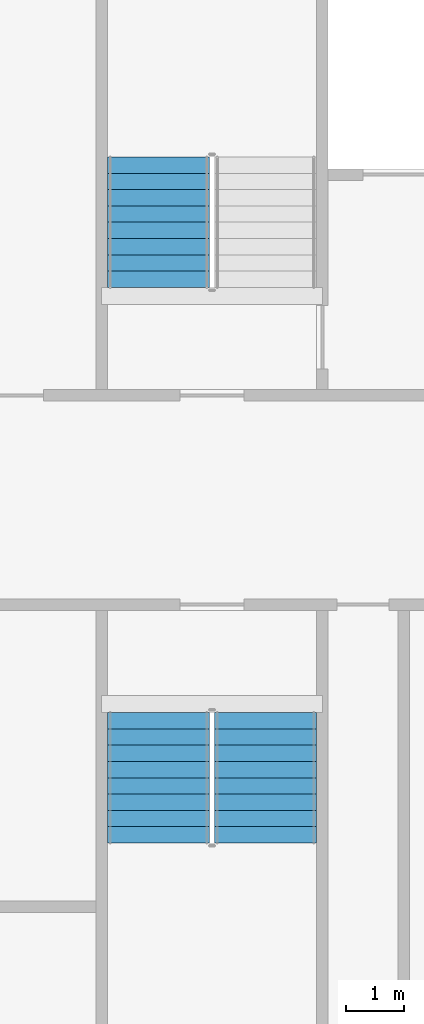
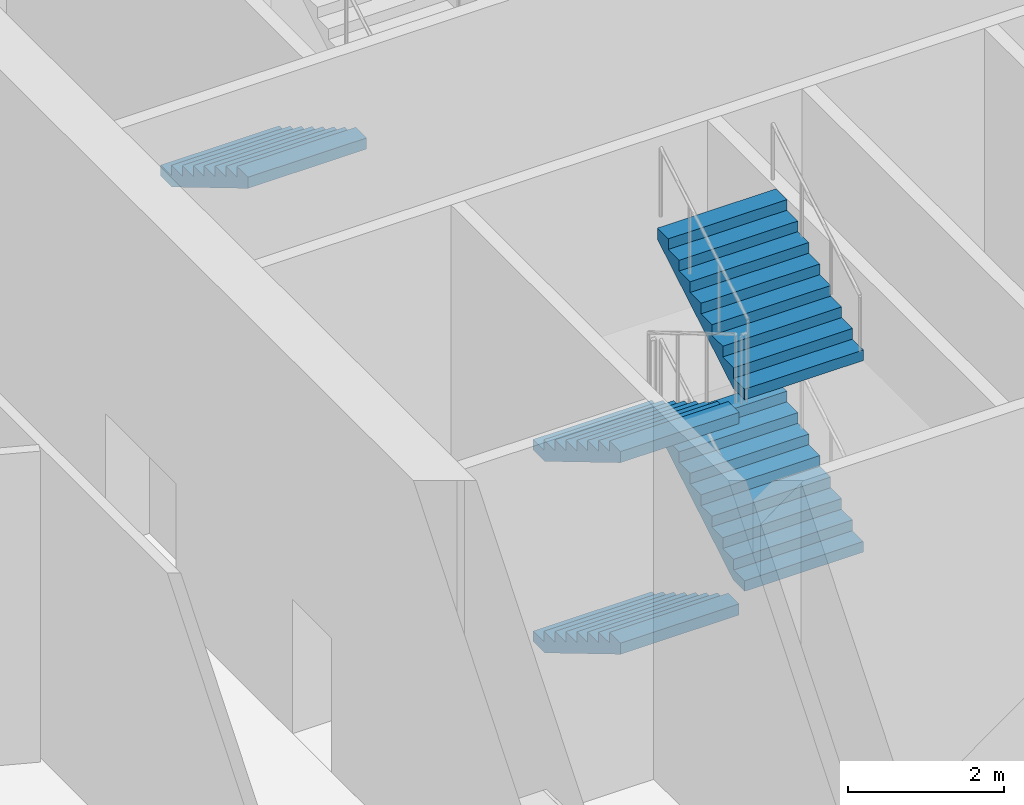
# One storey, part 27 of 36: 5 stair flights, 2 elements without a shape of their own.
"""IFC4 building model written with IfcOpenShell, lengths in metres."""

from ifc_helpers import new_model, si_unit, direction, frame, origin, place, context, subcontext, project, spatial, faceted_brep, material, type_object, element, aggregate, save


model = new_model("IFC4")

# Units and contexts
model_context = context("Model", 3, precision=1e-05, world=origin(), true_north=direction((0.0, 1.0)))
body_context = subcontext(model_context, "Body", "Model", "MODEL_VIEW")
ifc_project = project(units=[si_unit("LENGTHUNIT", "METRE"), si_unit("AREAUNIT", "SQUARE_METRE"), si_unit("VOLUMEUNIT", "CUBIC_METRE"), si_unit("PLANEANGLEUNIT", "RADIAN"), si_unit("MASSUNIT", "GRAM", prefix="KILO")], contexts=[model_context])

# Site, building, storey
site_placement = place(None, origin())
site = spatial("IfcSite", under=ifc_project, at=site_placement, CompositionType="ELEMENT")
building_placement = place(site_placement, origin())
building = spatial("IfcBuilding", under=site, at=building_placement, Name="Tarsis Ring Headquarters", CompositionType="ELEMENT")
storey_placement = place(building_placement, frame((0.0, 0.0, 194.39990234375)))
storey = spatial("IfcBuildingStorey", under=building, at=storey_placement, Name="L45", CompositionType="ELEMENT", Elevation=194.39990234375)

# Stair, stair flight
ifc_material_1 = material(Name="Core stair 1760")
stair_type = type_object("IfcStairType", Name="Core stair 1760", PredefinedType="HALF_TURN_STAIR", material=ifc_material_1)
stair_1_placement = place(storey_placement, origin())
stair_1 = element("IfcStair", 1, at=stair_1_placement, inside=storey, type_object=stair_type, Name="L45 Firefighting stair", PredefinedType="HALF_TURN_STAIR")
ifc_material_2 = material(Name="Concrete C40/50", Category="concrete")
stair_flight_type = type_object("IfcStairFlightType", Name="Core stair flight 1760", PredefinedType="STRAIGHT", material=ifc_material_2)
stair_flight_1_placement = place(storey_placement, frame((-5.419921875, 5.89990234375, 1.5), z_axis=(0.0, 0.0, 1.0), x_axis=(0.0, -1.0, 0.0)))
stair_flight_1 = element("IfcStairFlight", 2, at=stair_flight_1_placement, type_object=stair_flight_type, Name="Stair ST1 flight 2", NumberOfRisers=9, NumberOfTreads=8, PredefinedType="STRAIGHT", RiserHeight=0.166666667, TreadLength=0.28, context=body_context, shape_type="Brep", body=[
    faceted_brep([(0.0, 0.8798828125, 0.0), (0.0, 0.8798828125, 0.166748046875), (0.280029296875, 0.8798828125, 0.166748046875), (0.280029296875, 0.8798828125, 0.333251953125), (0.56005859375, 0.8798828125, 0.333251953125), (0.56005859375, 0.8798828125, 0.5), (0.840087890625, 0.8798828125, 0.5), (0.840087890625, 0.8798828125, 0.666748046875), (1.1201171875, 0.8798828125, 0.666748046875), (1.1201171875, 0.8798828125, 0.833251953125), (1.39990234375, 0.8798828125, 0.833251953125), (1.39990234375, 0.8798828125, 1.0), (1.679931640625, 0.8798828125, 1.0), (1.679931640625, 0.8798828125, 1.166748046875), (1.9599609375, 0.8798828125, 1.166748046875), (1.9599609375, 0.8798828125, 1.333251953125), (2.239990234375, 0.8798828125, 1.333251953125), (2.239990234375, 0.8798828125, 1.158935546875), (0.29296875, 0.8798828125, 0.0), (0.29296875, -0.8798828125, 0.0), (2.239990234375, -0.8798828125, 1.158935546875), (2.239990234375, -0.8798828125, 1.333251953125), (1.9599609375, -0.8798828125, 1.333251953125), (1.9599609375, -0.8798828125, 1.166748046875), (1.679931640625, -0.8798828125, 1.166748046875), (1.679931640625, -0.8798828125, 1.0), (1.39990234375, -0.8798828125, 1.0), (1.39990234375, -0.8798828125, 0.833251953125), (1.1201171875, -0.8798828125, 0.833251953125), (1.1201171875, -0.8798828125, 0.666748046875), (0.840087890625, -0.8798828125, 0.666748046875), (0.840087890625, -0.8798828125, 0.5), (0.56005859375, -0.8798828125, 0.5), (0.56005859375, -0.8798828125, 0.333251953125), (0.280029296875, -0.8798828125, 0.333251953125), (0.280029296875, -0.8798828125, 0.166748046875), (0.0, -0.8798828125, 0.166748046875), (0.0, -0.8798828125, 0.0), (0.0, -0.43994140625, 0.166748046875), (0.0, -0.43994140625, 0.0), (0.0, 0.0, 0.166748046875), (0.0, 0.0, 0.0), (0.0, 0.43994140625, 0.166748046875), (0.0, 0.43994140625, 0.0), (0.280029296875, -0.43994140625, 0.166748046875), (0.280029296875, 0.0, 0.166748046875), (0.280029296875, 0.43994140625, 0.166748046875), (0.280029296875, -0.43994140625, 0.333251953125), (0.280029296875, 0.0, 0.333251953125), (0.280029296875, 0.43994140625, 0.333251953125), (0.56005859375, -0.43994140625, 0.333251953125), (0.56005859375, 0.0, 0.333251953125), (0.56005859375, 0.43994140625, 0.333251953125), (0.56005859375, -0.43994140625, 0.5), (0.56005859375, 0.0, 0.5), (0.56005859375, 0.43994140625, 0.5), (0.840087890625, -0.43994140625, 0.5), (0.840087890625, 0.0, 0.5), (0.840087890625, 0.43994140625, 0.5), (0.840087890625, -0.43994140625, 0.666748046875), (0.840087890625, 0.0, 0.666748046875), (0.840087890625, 0.43994140625, 0.666748046875), (1.1201171875, -0.43994140625, 0.666748046875), (1.1201171875, 0.0, 0.666748046875), (1.1201171875, 0.43994140625, 0.666748046875), (1.1201171875, -0.43994140625, 0.833251953125), (1.1201171875, 0.0, 0.833251953125), (1.1201171875, 0.43994140625, 0.833251953125), (1.39990234375, -0.43994140625, 0.833251953125), (1.39990234375, 0.0, 0.833251953125), (1.39990234375, 0.43994140625, 0.833251953125), (1.39990234375, -0.43994140625, 1.0), (1.39990234375, 0.0, 1.0), (1.39990234375, 0.43994140625, 1.0), (1.679931640625, -0.43994140625, 1.0), (1.679931640625, 0.0, 1.0), (1.679931640625, 0.43994140625, 1.0), (1.679931640625, -0.43994140625, 1.166748046875), (1.679931640625, 0.0, 1.166748046875), (1.679931640625, 0.43994140625, 1.166748046875), (1.9599609375, -0.43994140625, 1.166748046875), (1.9599609375, 0.0, 1.166748046875), (1.9599609375, 0.43994140625, 1.166748046875), (1.9599609375, -0.43994140625, 1.333251953125), (1.9599609375, 0.0, 1.333251953125), (1.9599609375, 0.43994140625, 1.333251953125), (2.239990234375, -0.43994140625, 1.333251953125), (2.239990234375, 0.0, 1.333251953125), (2.239990234375, 0.43994140625, 1.333251953125), (2.239990234375, -0.43994140625, 1.158935546875), (2.239990234375, 0.0, 1.158935546875), (2.239990234375, 0.43994140625, 1.158935546875), (0.29296875, -0.43994140625, 0.0), (0.29296875, 0.0, 0.0), (0.29296875, 0.43994140625, 0.0)], [[[0, 1, 2, 3, 4, 5, 6, 7, 8, 9, 10, 11, 12, 13, 14, 15, 16, 17, 18]], [[19, 20, 21, 22, 23, 24, 25, 26, 27, 28, 29, 30, 31, 32, 33, 34, 35, 36, 37]], [[37, 36, 38, 39]], [[39, 38, 40, 41]], [[41, 40, 42, 43]], [[43, 42, 1, 0]], [[36, 35, 44, 38]], [[38, 44, 45, 40]], [[40, 45, 46, 42]], [[42, 46, 2, 1]], [[35, 34, 47, 44]], [[44, 47, 48, 45]], [[45, 48, 49, 46]], [[46, 49, 3, 2]], [[34, 33, 50, 47]], [[47, 50, 51, 48]], [[48, 51, 52, 49]], [[49, 52, 4, 3]], [[33, 32, 53, 50]], [[50, 53, 54, 51]], [[51, 54, 55, 52]], [[52, 55, 5, 4]], [[32, 31, 56, 53]], [[53, 56, 57, 54]], [[54, 57, 58, 55]], [[55, 58, 6, 5]], [[31, 30, 59, 56]], [[56, 59, 60, 57]], [[57, 60, 61, 58]], [[58, 61, 7, 6]], [[30, 29, 62, 59]], [[59, 62, 63, 60]], [[60, 63, 64, 61]], [[61, 64, 8, 7]], [[29, 28, 65, 62]], [[62, 65, 66, 63]], [[63, 66, 67, 64]], [[64, 67, 9, 8]], [[28, 27, 68, 65]], [[65, 68, 69, 66]], [[66, 69, 70, 67]], [[67, 70, 10, 9]], [[27, 26, 71, 68]], [[68, 71, 72, 69]], [[69, 72, 73, 70]], [[70, 73, 11, 10]], [[26, 25, 74, 71]], [[71, 74, 75, 72]], [[72, 75, 76, 73]], [[73, 76, 12, 11]], [[25, 24, 77, 74]], [[74, 77, 78, 75]], [[75, 78, 79, 76]], [[76, 79, 13, 12]], [[24, 23, 80, 77]], [[77, 80, 81, 78]], [[78, 81, 82, 79]], [[79, 82, 14, 13]], [[23, 22, 83, 80]], [[80, 83, 84, 81]], [[81, 84, 85, 82]], [[82, 85, 15, 14]], [[22, 21, 86, 83]], [[83, 86, 87, 84]], [[84, 87, 88, 85]], [[85, 88, 16, 15]], [[21, 20, 89, 86]], [[86, 89, 90, 87]], [[87, 90, 91, 88]], [[88, 91, 17, 16]], [[20, 19, 92, 89]], [[89, 92, 93, 90]], [[90, 93, 94, 91]], [[91, 94, 18, 17]], [[19, 37, 39, 92]], [[92, 39, 41, 93]], [[93, 41, 43, 94]], [[94, 43, 0, 18]]]),
])
aggregate(stair_1, [stair_flight_1])

# Stair, stair flights
stair_2_placement = place(storey_placement, origin())
stair_2 = element("IfcStair", 3, at=stair_2_placement, inside=storey, type_object=stair_type, Name="L45 Exit stair C", PredefinedType="HALF_TURN_STAIR")
stair_flight_2_placement = place(storey_placement, frame((-5.419921875, -3.659912109375, 0.0), z_axis=(0.0, 0.0, 1.0), x_axis=(0.0, -1.0, 0.0)))
stair_flight_2 = element("IfcStairFlight", 4, at=stair_flight_2_placement, type_object=stair_flight_type, Name="Stair ST3 flight 1", NumberOfRisers=9, NumberOfTreads=8, PredefinedType="STRAIGHT", RiserHeight=0.166666667, TreadLength=0.28, context=body_context, shape_type="Brep", body=[
    faceted_brep([(0.0, 0.8798828125, 0.0), (0.0, 0.8798828125, 0.166748046875), (0.280029296875, 0.8798828125, 0.166748046875), (0.280029296875, 0.8798828125, 0.333251953125), (0.56005859375, 0.8798828125, 0.333251953125), (0.56005859375, 0.8798828125, 0.5), (0.840087890625, 0.8798828125, 0.5), (0.840087890625, 0.8798828125, 0.666748046875), (1.1201171875, 0.8798828125, 0.666748046875), (1.1201171875, 0.8798828125, 0.833251953125), (1.39990234375, 0.8798828125, 0.833251953125), (1.39990234375, 0.8798828125, 1.0), (1.679931640625, 0.8798828125, 1.0), (1.679931640625, 0.8798828125, 1.166748046875), (1.9599609375, 0.8798828125, 1.166748046875), (1.9599609375, 0.8798828125, 1.333251953125), (2.239990234375, 0.8798828125, 1.333251953125), (2.239990234375, 0.8798828125, 1.158935546875), (0.29296875, 0.8798828125, 0.0), (0.29296875, -0.8798828125, 0.0), (2.239990234375, -0.8798828125, 1.158935546875), (2.239990234375, -0.8798828125, 1.333251953125), (1.9599609375, -0.8798828125, 1.333251953125), (1.9599609375, -0.8798828125, 1.166748046875), (1.679931640625, -0.8798828125, 1.166748046875), (1.679931640625, -0.8798828125, 1.0), (1.39990234375, -0.8798828125, 1.0), (1.39990234375, -0.8798828125, 0.833251953125), (1.1201171875, -0.8798828125, 0.833251953125), (1.1201171875, -0.8798828125, 0.666748046875), (0.840087890625, -0.8798828125, 0.666748046875), (0.840087890625, -0.8798828125, 0.5), (0.56005859375, -0.8798828125, 0.5), (0.56005859375, -0.8798828125, 0.333251953125), (0.280029296875, -0.8798828125, 0.333251953125), (0.280029296875, -0.8798828125, 0.166748046875), (0.0, -0.8798828125, 0.166748046875), (0.0, -0.8798828125, 0.0), (0.0, -0.43994140625, 0.166748046875), (0.0, -0.43994140625, 0.0), (0.0, 0.0, 0.166748046875), (0.0, 0.0, 0.0), (0.0, 0.43994140625, 0.166748046875), (0.0, 0.43994140625, 0.0), (0.280029296875, -0.43994140625, 0.166748046875), (0.280029296875, 0.0, 0.166748046875), (0.280029296875, 0.43994140625, 0.166748046875), (0.280029296875, -0.43994140625, 0.333251953125), (0.280029296875, 0.0, 0.333251953125), (0.280029296875, 0.43994140625, 0.333251953125), (0.56005859375, -0.43994140625, 0.333251953125), (0.56005859375, 0.0, 0.333251953125), (0.56005859375, 0.43994140625, 0.333251953125), (0.56005859375, -0.43994140625, 0.5), (0.56005859375, 0.0, 0.5), (0.56005859375, 0.43994140625, 0.5), (0.840087890625, -0.43994140625, 0.5), (0.840087890625, 0.0, 0.5), (0.840087890625, 0.43994140625, 0.5), (0.840087890625, -0.43994140625, 0.666748046875), (0.840087890625, 0.0, 0.666748046875), (0.840087890625, 0.43994140625, 0.666748046875), (1.1201171875, -0.43994140625, 0.666748046875), (1.1201171875, 0.0, 0.666748046875), (1.1201171875, 0.43994140625, 0.666748046875), (1.1201171875, -0.43994140625, 0.833251953125), (1.1201171875, 0.0, 0.833251953125), (1.1201171875, 0.43994140625, 0.833251953125), (1.39990234375, -0.43994140625, 0.833251953125), (1.39990234375, 0.0, 0.833251953125), (1.39990234375, 0.43994140625, 0.833251953125), (1.39990234375, -0.43994140625, 1.0), (1.39990234375, 0.0, 1.0), (1.39990234375, 0.43994140625, 1.0), (1.679931640625, -0.43994140625, 1.0), (1.679931640625, 0.0, 1.0), (1.679931640625, 0.43994140625, 1.0), (1.679931640625, -0.43994140625, 1.166748046875), (1.679931640625, 0.0, 1.166748046875), (1.679931640625, 0.43994140625, 1.166748046875), (1.9599609375, -0.43994140625, 1.166748046875), (1.9599609375, 0.0, 1.166748046875), (1.9599609375, 0.43994140625, 1.166748046875), (1.9599609375, -0.43994140625, 1.333251953125), (1.9599609375, 0.0, 1.333251953125), (1.9599609375, 0.43994140625, 1.333251953125), (2.239990234375, -0.43994140625, 1.333251953125), (2.239990234375, 0.0, 1.333251953125), (2.239990234375, 0.43994140625, 1.333251953125), (2.239990234375, -0.43994140625, 1.158935546875), (2.239990234375, 0.0, 1.158935546875), (2.239990234375, 0.43994140625, 1.158935546875), (0.29296875, -0.43994140625, 0.0), (0.29296875, 0.0, 0.0), (0.29296875, 0.43994140625, 0.0)], [[[0, 1, 2, 3, 4, 5, 6, 7, 8, 9, 10, 11, 12, 13, 14, 15, 16, 17, 18]], [[19, 20, 21, 22, 23, 24, 25, 26, 27, 28, 29, 30, 31, 32, 33, 34, 35, 36, 37]], [[37, 36, 38, 39]], [[39, 38, 40, 41]], [[41, 40, 42, 43]], [[43, 42, 1, 0]], [[36, 35, 44, 38]], [[38, 44, 45, 40]], [[40, 45, 46, 42]], [[42, 46, 2, 1]], [[35, 34, 47, 44]], [[44, 47, 48, 45]], [[45, 48, 49, 46]], [[46, 49, 3, 2]], [[34, 33, 50, 47]], [[47, 50, 51, 48]], [[48, 51, 52, 49]], [[49, 52, 4, 3]], [[33, 32, 53, 50]], [[50, 53, 54, 51]], [[51, 54, 55, 52]], [[52, 55, 5, 4]], [[32, 31, 56, 53]], [[53, 56, 57, 54]], [[54, 57, 58, 55]], [[55, 58, 6, 5]], [[31, 30, 59, 56]], [[56, 59, 60, 57]], [[57, 60, 61, 58]], [[58, 61, 7, 6]], [[30, 29, 62, 59]], [[59, 62, 63, 60]], [[60, 63, 64, 61]], [[61, 64, 8, 7]], [[29, 28, 65, 62]], [[62, 65, 66, 63]], [[63, 66, 67, 64]], [[64, 67, 9, 8]], [[28, 27, 68, 65]], [[65, 68, 69, 66]], [[66, 69, 70, 67]], [[67, 70, 10, 9]], [[27, 26, 71, 68]], [[68, 71, 72, 69]], [[69, 72, 73, 70]], [[70, 73, 11, 10]], [[26, 25, 74, 71]], [[71, 74, 75, 72]], [[72, 75, 76, 73]], [[73, 76, 12, 11]], [[25, 24, 77, 74]], [[74, 77, 78, 75]], [[75, 78, 79, 76]], [[76, 79, 13, 12]], [[24, 23, 80, 77]], [[77, 80, 81, 78]], [[78, 81, 82, 79]], [[79, 82, 14, 13]], [[23, 22, 83, 80]], [[80, 83, 84, 81]], [[81, 84, 85, 82]], [[82, 85, 15, 14]], [[22, 21, 86, 83]], [[83, 86, 87, 84]], [[84, 87, 88, 85]], [[85, 88, 16, 15]], [[21, 20, 89, 86]], [[86, 89, 90, 87]], [[87, 90, 91, 88]], [[88, 91, 17, 16]], [[20, 19, 92, 89]], [[89, 92, 93, 90]], [[90, 93, 94, 91]], [[91, 94, 18, 17]], [[19, 37, 39, 92]], [[92, 39, 41, 93]], [[93, 41, 43, 94]], [[94, 43, 0, 18]]]),
])
stair_flight_3_placement = place(storey_placement, frame((-3.580078125, -5.89990234375, 1.5), z_axis=(0.0, 0.0, 1.0), x_axis=(0.0, 1.0, 0.0)))
stair_flight_3 = element("IfcStairFlight", 5, at=stair_flight_3_placement, type_object=stair_flight_type, Name="Stair ST3 flight 2", NumberOfRisers=9, NumberOfTreads=8, PredefinedType="STRAIGHT", RiserHeight=0.166666667, TreadLength=0.28, context=body_context, shape_type="Brep", body=[
    faceted_brep([(0.0, 0.8798828125, 0.0), (0.0, 0.8798828125, 0.166748046875), (0.280029296875, 0.8798828125, 0.166748046875), (0.280029296875, 0.8798828125, 0.333251953125), (0.56005859375, 0.8798828125, 0.333251953125), (0.56005859375, 0.8798828125, 0.5), (0.840087890625, 0.8798828125, 0.5), (0.840087890625, 0.8798828125, 0.666748046875), (1.1201171875, 0.8798828125, 0.666748046875), (1.1201171875, 0.8798828125, 0.833251953125), (1.39990234375, 0.8798828125, 0.833251953125), (1.39990234375, 0.8798828125, 1.0), (1.679931640625, 0.8798828125, 1.0), (1.679931640625, 0.8798828125, 1.166748046875), (1.9599609375, 0.8798828125, 1.166748046875), (1.9599609375, 0.8798828125, 1.333251953125), (2.239990234375, 0.8798828125, 1.333251953125), (2.239990234375, 0.8798828125, 1.158935546875), (0.29296875, 0.8798828125, 0.0), (0.29296875, -0.8798828125, 0.0), (2.239990234375, -0.8798828125, 1.158935546875), (2.239990234375, -0.8798828125, 1.333251953125), (1.9599609375, -0.8798828125, 1.333251953125), (1.9599609375, -0.8798828125, 1.166748046875), (1.679931640625, -0.8798828125, 1.166748046875), (1.679931640625, -0.8798828125, 1.0), (1.39990234375, -0.8798828125, 1.0), (1.39990234375, -0.8798828125, 0.833251953125), (1.1201171875, -0.8798828125, 0.833251953125), (1.1201171875, -0.8798828125, 0.666748046875), (0.840087890625, -0.8798828125, 0.666748046875), (0.840087890625, -0.8798828125, 0.5), (0.56005859375, -0.8798828125, 0.5), (0.56005859375, -0.8798828125, 0.333251953125), (0.280029296875, -0.8798828125, 0.333251953125), (0.280029296875, -0.8798828125, 0.166748046875), (0.0, -0.8798828125, 0.166748046875), (0.0, -0.8798828125, 0.0), (0.0, -0.43994140625, 0.166748046875), (0.0, -0.43994140625, 0.0), (0.0, 0.0, 0.166748046875), (0.0, 0.0, 0.0), (0.0, 0.43994140625, 0.166748046875), (0.0, 0.43994140625, 0.0), (0.280029296875, -0.43994140625, 0.166748046875), (0.280029296875, 0.0, 0.166748046875), (0.280029296875, 0.43994140625, 0.166748046875), (0.280029296875, -0.43994140625, 0.333251953125), (0.280029296875, 0.0, 0.333251953125), (0.280029296875, 0.43994140625, 0.333251953125), (0.56005859375, -0.43994140625, 0.333251953125), (0.56005859375, 0.0, 0.333251953125), (0.56005859375, 0.43994140625, 0.333251953125), (0.56005859375, -0.43994140625, 0.5), (0.56005859375, 0.0, 0.5), (0.56005859375, 0.43994140625, 0.5), (0.840087890625, -0.43994140625, 0.5), (0.840087890625, 0.0, 0.5), (0.840087890625, 0.43994140625, 0.5), (0.840087890625, -0.43994140625, 0.666748046875), (0.840087890625, 0.0, 0.666748046875), (0.840087890625, 0.43994140625, 0.666748046875), (1.1201171875, -0.43994140625, 0.666748046875), (1.1201171875, 0.0, 0.666748046875), (1.1201171875, 0.43994140625, 0.666748046875), (1.1201171875, -0.43994140625, 0.833251953125), (1.1201171875, 0.0, 0.833251953125), (1.1201171875, 0.43994140625, 0.833251953125), (1.39990234375, -0.43994140625, 0.833251953125), (1.39990234375, 0.0, 0.833251953125), (1.39990234375, 0.43994140625, 0.833251953125), (1.39990234375, -0.43994140625, 1.0), (1.39990234375, 0.0, 1.0), (1.39990234375, 0.43994140625, 1.0), (1.679931640625, -0.43994140625, 1.0), (1.679931640625, 0.0, 1.0), (1.679931640625, 0.43994140625, 1.0), (1.679931640625, -0.43994140625, 1.166748046875), (1.679931640625, 0.0, 1.166748046875), (1.679931640625, 0.43994140625, 1.166748046875), (1.9599609375, -0.43994140625, 1.166748046875), (1.9599609375, 0.0, 1.166748046875), (1.9599609375, 0.43994140625, 1.166748046875), (1.9599609375, -0.43994140625, 1.333251953125), (1.9599609375, 0.0, 1.333251953125), (1.9599609375, 0.43994140625, 1.333251953125), (2.239990234375, -0.43994140625, 1.333251953125), (2.239990234375, 0.0, 1.333251953125), (2.239990234375, 0.43994140625, 1.333251953125), (2.239990234375, -0.43994140625, 1.158935546875), (2.239990234375, 0.0, 1.158935546875), (2.239990234375, 0.43994140625, 1.158935546875), (0.29296875, -0.43994140625, 0.0), (0.29296875, 0.0, 0.0), (0.29296875, 0.43994140625, 0.0)], [[[0, 1, 2, 3, 4, 5, 6, 7, 8, 9, 10, 11, 12, 13, 14, 15, 16, 17, 18]], [[19, 20, 21, 22, 23, 24, 25, 26, 27, 28, 29, 30, 31, 32, 33, 34, 35, 36, 37]], [[37, 36, 38, 39]], [[39, 38, 40, 41]], [[41, 40, 42, 43]], [[43, 42, 1, 0]], [[36, 35, 44, 38]], [[38, 44, 45, 40]], [[40, 45, 46, 42]], [[42, 46, 2, 1]], [[35, 34, 47, 44]], [[44, 47, 48, 45]], [[45, 48, 49, 46]], [[46, 49, 3, 2]], [[34, 33, 50, 47]], [[47, 50, 51, 48]], [[48, 51, 52, 49]], [[49, 52, 4, 3]], [[33, 32, 53, 50]], [[50, 53, 54, 51]], [[51, 54, 55, 52]], [[52, 55, 5, 4]], [[32, 31, 56, 53]], [[53, 56, 57, 54]], [[54, 57, 58, 55]], [[55, 58, 6, 5]], [[31, 30, 59, 56]], [[56, 59, 60, 57]], [[57, 60, 61, 58]], [[58, 61, 7, 6]], [[30, 29, 62, 59]], [[59, 62, 63, 60]], [[60, 63, 64, 61]], [[61, 64, 8, 7]], [[29, 28, 65, 62]], [[62, 65, 66, 63]], [[63, 66, 67, 64]], [[64, 67, 9, 8]], [[28, 27, 68, 65]], [[65, 68, 69, 66]], [[66, 69, 70, 67]], [[67, 70, 10, 9]], [[27, 26, 71, 68]], [[68, 71, 72, 69]], [[69, 72, 73, 70]], [[70, 73, 11, 10]], [[26, 25, 74, 71]], [[71, 74, 75, 72]], [[72, 75, 76, 73]], [[73, 76, 12, 11]], [[25, 24, 77, 74]], [[74, 77, 78, 75]], [[75, 78, 79, 76]], [[76, 79, 13, 12]], [[24, 23, 80, 77]], [[77, 80, 81, 78]], [[78, 81, 82, 79]], [[79, 82, 14, 13]], [[23, 22, 83, 80]], [[80, 83, 84, 81]], [[81, 84, 85, 82]], [[82, 85, 15, 14]], [[22, 21, 86, 83]], [[83, 86, 87, 84]], [[84, 87, 88, 85]], [[85, 88, 16, 15]], [[21, 20, 89, 86]], [[86, 89, 90, 87]], [[87, 90, 91, 88]], [[88, 91, 17, 16]], [[20, 19, 92, 89]], [[89, 92, 93, 90]], [[90, 93, 94, 91]], [[91, 94, 18, 17]], [[19, 37, 39, 92]], [[92, 39, 41, 93]], [[93, 41, 43, 94]], [[94, 43, 0, 18]]]),
])
stair_flight_4_placement = place(storey_placement, frame((-5.419921875, -3.659912109375, 3.0), z_axis=(0.0, 0.0, 1.0), x_axis=(0.0, -1.0, 0.0)))
stair_flight_4 = element("IfcStairFlight", 6, at=stair_flight_4_placement, type_object=stair_flight_type, Name="Stair ST3 flight 3", NumberOfRisers=9, NumberOfTreads=8, PredefinedType="STRAIGHT", RiserHeight=0.166666667, TreadLength=0.28, context=body_context, shape_type="Brep", body=[
    faceted_brep([(0.0, 0.8798828125, 0.0), (0.0, 0.8798828125, 0.166748046875), (0.280029296875, 0.8798828125, 0.166748046875), (0.280029296875, 0.8798828125, 0.333251953125), (0.56005859375, 0.8798828125, 0.333251953125), (0.56005859375, 0.8798828125, 0.5), (0.840087890625, 0.8798828125, 0.5), (0.840087890625, 0.8798828125, 0.666748046875), (1.1201171875, 0.8798828125, 0.666748046875), (1.1201171875, 0.8798828125, 0.833251953125), (1.39990234375, 0.8798828125, 0.833251953125), (1.39990234375, 0.8798828125, 1.0), (1.679931640625, 0.8798828125, 1.0), (1.679931640625, 0.8798828125, 1.166748046875), (1.9599609375, 0.8798828125, 1.166748046875), (1.9599609375, 0.8798828125, 1.333251953125), (2.239990234375, 0.8798828125, 1.333251953125), (2.239990234375, 0.8798828125, 1.158935546875), (0.29296875, 0.8798828125, 0.0), (0.29296875, -0.8798828125, 0.0), (2.239990234375, -0.8798828125, 1.158935546875), (2.239990234375, -0.8798828125, 1.333251953125), (1.9599609375, -0.8798828125, 1.333251953125), (1.9599609375, -0.8798828125, 1.166748046875), (1.679931640625, -0.8798828125, 1.166748046875), (1.679931640625, -0.8798828125, 1.0), (1.39990234375, -0.8798828125, 1.0), (1.39990234375, -0.8798828125, 0.833251953125), (1.1201171875, -0.8798828125, 0.833251953125), (1.1201171875, -0.8798828125, 0.666748046875), (0.840087890625, -0.8798828125, 0.666748046875), (0.840087890625, -0.8798828125, 0.5), (0.56005859375, -0.8798828125, 0.5), (0.56005859375, -0.8798828125, 0.333251953125), (0.280029296875, -0.8798828125, 0.333251953125), (0.280029296875, -0.8798828125, 0.166748046875), (0.0, -0.8798828125, 0.166748046875), (0.0, -0.8798828125, 0.0), (0.0, -0.43994140625, 0.166748046875), (0.0, -0.43994140625, 0.0), (0.0, 0.0, 0.166748046875), (0.0, 0.0, 0.0), (0.0, 0.43994140625, 0.166748046875), (0.0, 0.43994140625, 0.0), (0.280029296875, -0.43994140625, 0.166748046875), (0.280029296875, 0.0, 0.166748046875), (0.280029296875, 0.43994140625, 0.166748046875), (0.280029296875, -0.43994140625, 0.333251953125), (0.280029296875, 0.0, 0.333251953125), (0.280029296875, 0.43994140625, 0.333251953125), (0.56005859375, -0.43994140625, 0.333251953125), (0.56005859375, 0.0, 0.333251953125), (0.56005859375, 0.43994140625, 0.333251953125), (0.56005859375, -0.43994140625, 0.5), (0.56005859375, 0.0, 0.5), (0.56005859375, 0.43994140625, 0.5), (0.840087890625, -0.43994140625, 0.5), (0.840087890625, 0.0, 0.5), (0.840087890625, 0.43994140625, 0.5), (0.840087890625, -0.43994140625, 0.666748046875), (0.840087890625, 0.0, 0.666748046875), (0.840087890625, 0.43994140625, 0.666748046875), (1.1201171875, -0.43994140625, 0.666748046875), (1.1201171875, 0.0, 0.666748046875), (1.1201171875, 0.43994140625, 0.666748046875), (1.1201171875, -0.43994140625, 0.833251953125), (1.1201171875, 0.0, 0.833251953125), (1.1201171875, 0.43994140625, 0.833251953125), (1.39990234375, -0.43994140625, 0.833251953125), (1.39990234375, 0.0, 0.833251953125), (1.39990234375, 0.43994140625, 0.833251953125), (1.39990234375, -0.43994140625, 1.0), (1.39990234375, 0.0, 1.0), (1.39990234375, 0.43994140625, 1.0), (1.679931640625, -0.43994140625, 1.0), (1.679931640625, 0.0, 1.0), (1.679931640625, 0.43994140625, 1.0), (1.679931640625, -0.43994140625, 1.166748046875), (1.679931640625, 0.0, 1.166748046875), (1.679931640625, 0.43994140625, 1.166748046875), (1.9599609375, -0.43994140625, 1.166748046875), (1.9599609375, 0.0, 1.166748046875), (1.9599609375, 0.43994140625, 1.166748046875), (1.9599609375, -0.43994140625, 1.333251953125), (1.9599609375, 0.0, 1.333251953125), (1.9599609375, 0.43994140625, 1.333251953125), (2.239990234375, -0.43994140625, 1.333251953125), (2.239990234375, 0.0, 1.333251953125), (2.239990234375, 0.43994140625, 1.333251953125), (2.239990234375, -0.43994140625, 1.158935546875), (2.239990234375, 0.0, 1.158935546875), (2.239990234375, 0.43994140625, 1.158935546875), (0.29296875, -0.43994140625, 0.0), (0.29296875, 0.0, 0.0), (0.29296875, 0.43994140625, 0.0)], [[[0, 1, 2, 3, 4, 5, 6, 7, 8, 9, 10, 11, 12, 13, 14, 15, 16, 17, 18]], [[19, 20, 21, 22, 23, 24, 25, 26, 27, 28, 29, 30, 31, 32, 33, 34, 35, 36, 37]], [[37, 36, 38, 39]], [[39, 38, 40, 41]], [[41, 40, 42, 43]], [[43, 42, 1, 0]], [[36, 35, 44, 38]], [[38, 44, 45, 40]], [[40, 45, 46, 42]], [[42, 46, 2, 1]], [[35, 34, 47, 44]], [[44, 47, 48, 45]], [[45, 48, 49, 46]], [[46, 49, 3, 2]], [[34, 33, 50, 47]], [[47, 50, 51, 48]], [[48, 51, 52, 49]], [[49, 52, 4, 3]], [[33, 32, 53, 50]], [[50, 53, 54, 51]], [[51, 54, 55, 52]], [[52, 55, 5, 4]], [[32, 31, 56, 53]], [[53, 56, 57, 54]], [[54, 57, 58, 55]], [[55, 58, 6, 5]], [[31, 30, 59, 56]], [[56, 59, 60, 57]], [[57, 60, 61, 58]], [[58, 61, 7, 6]], [[30, 29, 62, 59]], [[59, 62, 63, 60]], [[60, 63, 64, 61]], [[61, 64, 8, 7]], [[29, 28, 65, 62]], [[62, 65, 66, 63]], [[63, 66, 67, 64]], [[64, 67, 9, 8]], [[28, 27, 68, 65]], [[65, 68, 69, 66]], [[66, 69, 70, 67]], [[67, 70, 10, 9]], [[27, 26, 71, 68]], [[68, 71, 72, 69]], [[69, 72, 73, 70]], [[70, 73, 11, 10]], [[26, 25, 74, 71]], [[71, 74, 75, 72]], [[72, 75, 76, 73]], [[73, 76, 12, 11]], [[25, 24, 77, 74]], [[74, 77, 78, 75]], [[75, 78, 79, 76]], [[76, 79, 13, 12]], [[24, 23, 80, 77]], [[77, 80, 81, 78]], [[78, 81, 82, 79]], [[79, 82, 14, 13]], [[23, 22, 83, 80]], [[80, 83, 84, 81]], [[81, 84, 85, 82]], [[82, 85, 15, 14]], [[22, 21, 86, 83]], [[83, 86, 87, 84]], [[84, 87, 88, 85]], [[85, 88, 16, 15]], [[21, 20, 89, 86]], [[86, 89, 90, 87]], [[87, 90, 91, 88]], [[88, 91, 17, 16]], [[20, 19, 92, 89]], [[89, 92, 93, 90]], [[90, 93, 94, 91]], [[91, 94, 18, 17]], [[19, 37, 39, 92]], [[92, 39, 41, 93]], [[93, 41, 43, 94]], [[94, 43, 0, 18]]]),
])
stair_flight_5_placement = place(storey_placement, frame((-3.580078125, -5.89990234375, 4.5), z_axis=(0.0, 0.0, 1.0), x_axis=(0.0, 1.0, 0.0)))
stair_flight_5 = element("IfcStairFlight", 7, at=stair_flight_5_placement, type_object=stair_flight_type, Name="Stair ST3 flight 4", NumberOfRisers=9, NumberOfTreads=8, PredefinedType="STRAIGHT", RiserHeight=0.166666667, TreadLength=0.28, context=body_context, shape_type="Brep", body=[
    faceted_brep([(0.0, 0.8798828125, 0.0), (0.0, 0.8798828125, 0.166748046875), (0.280029296875, 0.8798828125, 0.166748046875), (0.280029296875, 0.8798828125, 0.333251953125), (0.56005859375, 0.8798828125, 0.333251953125), (0.56005859375, 0.8798828125, 0.5), (0.840087890625, 0.8798828125, 0.5), (0.840087890625, 0.8798828125, 0.666748046875), (1.1201171875, 0.8798828125, 0.666748046875), (1.1201171875, 0.8798828125, 0.833251953125), (1.39990234375, 0.8798828125, 0.833251953125), (1.39990234375, 0.8798828125, 1.0), (1.679931640625, 0.8798828125, 1.0), (1.679931640625, 0.8798828125, 1.166748046875), (1.9599609375, 0.8798828125, 1.166748046875), (1.9599609375, 0.8798828125, 1.333251953125), (2.239990234375, 0.8798828125, 1.333251953125), (2.239990234375, 0.8798828125, 1.158935546875), (0.29296875, 0.8798828125, 0.0), (0.29296875, -0.8798828125, 0.0), (2.239990234375, -0.8798828125, 1.158935546875), (2.239990234375, -0.8798828125, 1.333251953125), (1.9599609375, -0.8798828125, 1.333251953125), (1.9599609375, -0.8798828125, 1.166748046875), (1.679931640625, -0.8798828125, 1.166748046875), (1.679931640625, -0.8798828125, 1.0), (1.39990234375, -0.8798828125, 1.0), (1.39990234375, -0.8798828125, 0.833251953125), (1.1201171875, -0.8798828125, 0.833251953125), (1.1201171875, -0.8798828125, 0.666748046875), (0.840087890625, -0.8798828125, 0.666748046875), (0.840087890625, -0.8798828125, 0.5), (0.56005859375, -0.8798828125, 0.5), (0.56005859375, -0.8798828125, 0.333251953125), (0.280029296875, -0.8798828125, 0.333251953125), (0.280029296875, -0.8798828125, 0.166748046875), (0.0, -0.8798828125, 0.166748046875), (0.0, -0.8798828125, 0.0), (0.0, -0.43994140625, 0.166748046875), (0.0, -0.43994140625, 0.0), (0.0, 0.0, 0.166748046875), (0.0, 0.0, 0.0), (0.0, 0.43994140625, 0.166748046875), (0.0, 0.43994140625, 0.0), (0.280029296875, -0.43994140625, 0.166748046875), (0.280029296875, 0.0, 0.166748046875), (0.280029296875, 0.43994140625, 0.166748046875), (0.280029296875, -0.43994140625, 0.333251953125), (0.280029296875, 0.0, 0.333251953125), (0.280029296875, 0.43994140625, 0.333251953125), (0.56005859375, -0.43994140625, 0.333251953125), (0.56005859375, 0.0, 0.333251953125), (0.56005859375, 0.43994140625, 0.333251953125), (0.56005859375, -0.43994140625, 0.5), (0.56005859375, 0.0, 0.5), (0.56005859375, 0.43994140625, 0.5), (0.840087890625, -0.43994140625, 0.5), (0.840087890625, 0.0, 0.5), (0.840087890625, 0.43994140625, 0.5), (0.840087890625, -0.43994140625, 0.666748046875), (0.840087890625, 0.0, 0.666748046875), (0.840087890625, 0.43994140625, 0.666748046875), (1.1201171875, -0.43994140625, 0.666748046875), (1.1201171875, 0.0, 0.666748046875), (1.1201171875, 0.43994140625, 0.666748046875), (1.1201171875, -0.43994140625, 0.833251953125), (1.1201171875, 0.0, 0.833251953125), (1.1201171875, 0.43994140625, 0.833251953125), (1.39990234375, -0.43994140625, 0.833251953125), (1.39990234375, 0.0, 0.833251953125), (1.39990234375, 0.43994140625, 0.833251953125), (1.39990234375, -0.43994140625, 1.0), (1.39990234375, 0.0, 1.0), (1.39990234375, 0.43994140625, 1.0), (1.679931640625, -0.43994140625, 1.0), (1.679931640625, 0.0, 1.0), (1.679931640625, 0.43994140625, 1.0), (1.679931640625, -0.43994140625, 1.166748046875), (1.679931640625, 0.0, 1.166748046875), (1.679931640625, 0.43994140625, 1.166748046875), (1.9599609375, -0.43994140625, 1.166748046875), (1.9599609375, 0.0, 1.166748046875), (1.9599609375, 0.43994140625, 1.166748046875), (1.9599609375, -0.43994140625, 1.333251953125), (1.9599609375, 0.0, 1.333251953125), (1.9599609375, 0.43994140625, 1.333251953125), (2.239990234375, -0.43994140625, 1.333251953125), (2.239990234375, 0.0, 1.333251953125), (2.239990234375, 0.43994140625, 1.333251953125), (2.239990234375, -0.43994140625, 1.158935546875), (2.239990234375, 0.0, 1.158935546875), (2.239990234375, 0.43994140625, 1.158935546875), (0.29296875, -0.43994140625, 0.0), (0.29296875, 0.0, 0.0), (0.29296875, 0.43994140625, 0.0)], [[[0, 1, 2, 3, 4, 5, 6, 7, 8, 9, 10, 11, 12, 13, 14, 15, 16, 17, 18]], [[19, 20, 21, 22, 23, 24, 25, 26, 27, 28, 29, 30, 31, 32, 33, 34, 35, 36, 37]], [[37, 36, 38, 39]], [[39, 38, 40, 41]], [[41, 40, 42, 43]], [[43, 42, 1, 0]], [[36, 35, 44, 38]], [[38, 44, 45, 40]], [[40, 45, 46, 42]], [[42, 46, 2, 1]], [[35, 34, 47, 44]], [[44, 47, 48, 45]], [[45, 48, 49, 46]], [[46, 49, 3, 2]], [[34, 33, 50, 47]], [[47, 50, 51, 48]], [[48, 51, 52, 49]], [[49, 52, 4, 3]], [[33, 32, 53, 50]], [[50, 53, 54, 51]], [[51, 54, 55, 52]], [[52, 55, 5, 4]], [[32, 31, 56, 53]], [[53, 56, 57, 54]], [[54, 57, 58, 55]], [[55, 58, 6, 5]], [[31, 30, 59, 56]], [[56, 59, 60, 57]], [[57, 60, 61, 58]], [[58, 61, 7, 6]], [[30, 29, 62, 59]], [[59, 62, 63, 60]], [[60, 63, 64, 61]], [[61, 64, 8, 7]], [[29, 28, 65, 62]], [[62, 65, 66, 63]], [[63, 66, 67, 64]], [[64, 67, 9, 8]], [[28, 27, 68, 65]], [[65, 68, 69, 66]], [[66, 69, 70, 67]], [[67, 70, 10, 9]], [[27, 26, 71, 68]], [[68, 71, 72, 69]], [[69, 72, 73, 70]], [[70, 73, 11, 10]], [[26, 25, 74, 71]], [[71, 74, 75, 72]], [[72, 75, 76, 73]], [[73, 76, 12, 11]], [[25, 24, 77, 74]], [[74, 77, 78, 75]], [[75, 78, 79, 76]], [[76, 79, 13, 12]], [[24, 23, 80, 77]], [[77, 80, 81, 78]], [[78, 81, 82, 79]], [[79, 82, 14, 13]], [[23, 22, 83, 80]], [[80, 83, 84, 81]], [[81, 84, 85, 82]], [[82, 85, 15, 14]], [[22, 21, 86, 83]], [[83, 86, 87, 84]], [[84, 87, 88, 85]], [[85, 88, 16, 15]], [[21, 20, 89, 86]], [[86, 89, 90, 87]], [[87, 90, 91, 88]], [[88, 91, 17, 16]], [[20, 19, 92, 89]], [[89, 92, 93, 90]], [[90, 93, 94, 91]], [[91, 94, 18, 17]], [[19, 37, 39, 92]], [[92, 39, 41, 93]], [[93, 41, 43, 94]], [[94, 43, 0, 18]]]),
])
aggregate(stair_2, [stair_flight_2, stair_flight_3, stair_flight_4, stair_flight_5])

save(model, "model.ifc")
